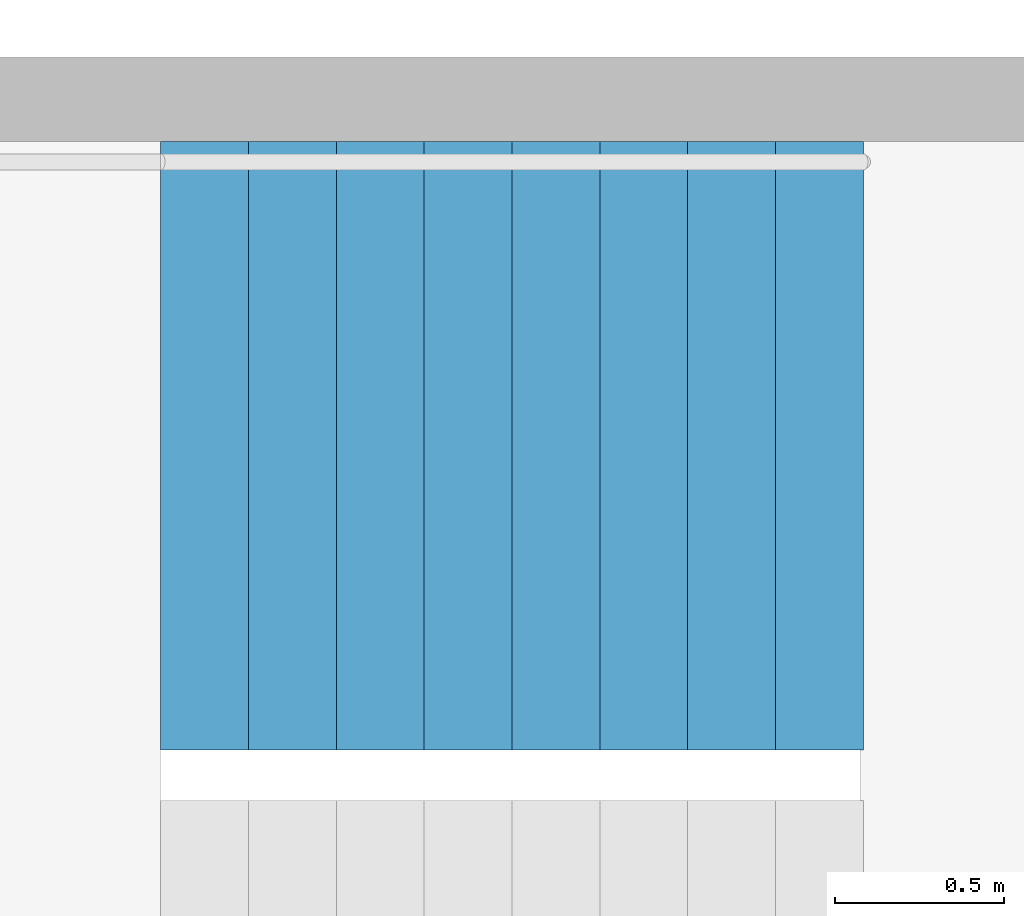
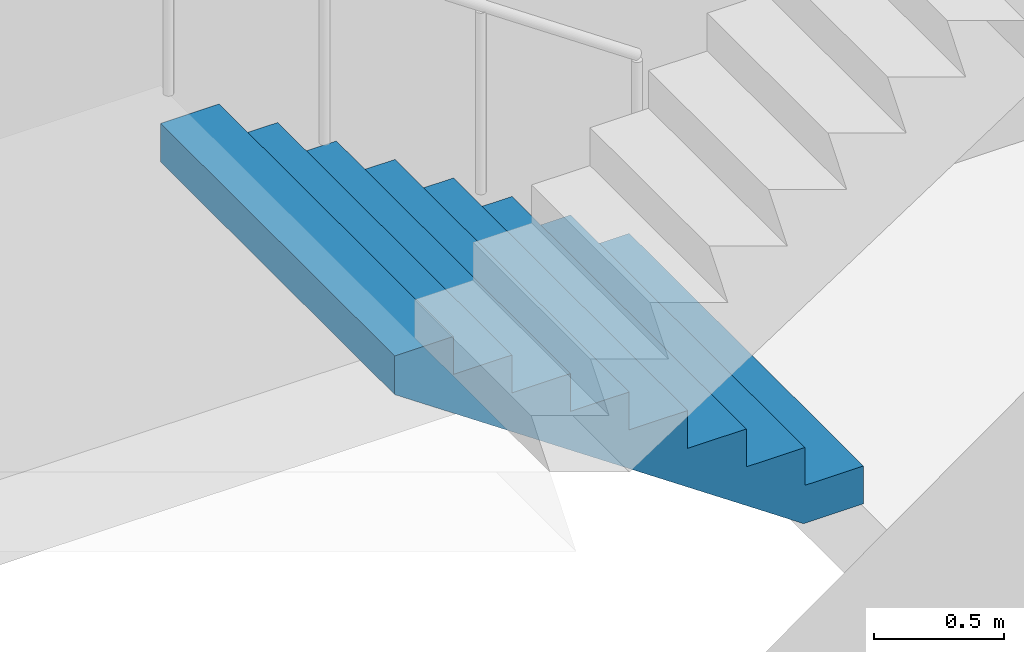
# One storey, part 21 of 34: 1 stair flight, 1 element without a shape of its own.
"""IFC4 building model written with IfcOpenShell, lengths in metres."""

from ifc_helpers import new_model, si_unit, direction, frame, origin, place, context, subcontext, project, spatial, triangles, material, type_object, element, aggregate, save


model = new_model("IFC4")

# Units and contexts
model_context = context("Model", 3, precision=1e-05, world=origin(), true_north=direction((0.0, 1.0)))
body_context = subcontext(model_context, "Body", "Model", "MODEL_VIEW")
ifc_project = project(units=[si_unit("LENGTHUNIT", "METRE"), si_unit("AREAUNIT", "SQUARE_METRE"), si_unit("VOLUMEUNIT", "CUBIC_METRE"), si_unit("PLANEANGLEUNIT", "RADIAN"), si_unit("MASSUNIT", "GRAM", prefix="KILO")], contexts=[model_context])

# Site, building, storey
site_placement = place(None, origin())
site = spatial("IfcSite", under=ifc_project, at=site_placement, CompositionType="ELEMENT")
building_placement = place(site_placement, origin())
building = spatial("IfcBuilding", under=site, at=building_placement, Name="Hakoniwa Tower and Hamabe Station Hall", CompositionType="ELEMENT")
storey_placement = place(building_placement, frame((0.0, 0.0, 107.39990234375)))
storey = spatial("IfcBuildingStorey", under=building, at=storey_placement, Name="L30", CompositionType="ELEMENT", Elevation=107.39990234375)

# Stair, stair flight
ifc_material_1 = material(Name="Concrete C40", Category="concrete")
stair_type = type_object("IfcStairType", Name="ESCAPE STAIR 1800", PredefinedType="HALF_TURN_STAIR", material=ifc_material_1)
stair_placement = place(storey_placement, origin())
stair = element("IfcStair", 1, at=stair_placement, inside=storey, type_object=stair_type, Name="Escape stair ST-2 L30", PredefinedType="HALF_TURN_STAIR")
ifc_material_2 = material(Name="Concrete C40", Category="concrete")
stair_flight_type = type_object("IfcStairFlightType", Name="STAIR FLIGHT 1800", PredefinedType="STRAIGHT", material=ifc_material_2)
stair_flight_placement = place(storey_placement, frame((-23.39990234375, -4.64990234375, 0.0), z_axis=(0.0, 0.0, 1.0), x_axis=(-1.0, 0.0, 0.0)))
stair_flight = element("IfcStairFlight", 2, at=stair_flight_placement, type_object=stair_flight_type, Name="ST-2 flight 1", NumberOfRisers=9, NumberOfTreads=8, PredefinedType="STRAIGHT", RiserHeight=0.177777778, TreadLength=0.26, context=body_context, shape_type="Tessellation", body=[
    triangles([(0.0, 0.89990234375, 0.0), (0.260009765625, 0.89990234375, 0.0), (0.265625, 0.89990234375, 0.0), (0.52001953125, 0.89990234375, 0.174072265625), (0.780029296875, 0.89990234375, 0.351806640625), (1.0400390625, 0.89990234375, 0.529541015625), (1.300048828125, 0.89990234375, 0.707275390625), (1.56005859375, 0.89990234375, 0.885009765625), (1.820068359375, 0.89990234375, 1.062744140625), (2.080078125, 0.89990234375, 1.24072265625), (2.080078125, 0.89990234375, 1.422119140625), (1.820068359375, 0.89990234375, 1.422119140625), (1.820068359375, 0.89990234375, 1.244384765625), (1.56005859375, 0.89990234375, 1.244384765625), (1.56005859375, 0.89990234375, 1.066650390625), (1.300048828125, 0.89990234375, 1.066650390625), (1.300048828125, 0.89990234375, 0.888916015625), (1.0400390625, 0.89990234375, 0.888916015625), (1.0400390625, 0.89990234375, 0.711181640625), (0.780029296875, 0.89990234375, 0.711181640625), (0.780029296875, 0.89990234375, 0.533447265625), (0.52001953125, 0.89990234375, 0.533447265625), (0.52001953125, 0.89990234375, 0.35546875), (0.265625, 0.89990234375, 0.35546875), (0.260009765625, 0.89990234375, 0.35546875), (0.260009765625, 0.89990234375, 0.177734375), (0.0, 0.89990234375, 0.177734375), (0.0, 0.06005859375, 0.0), (0.260009765625, 0.06005859375, 0.0), (0.265625, 0.06005859375, 0.0), (0.52001953125, 0.06005859375, 0.174072265625), (0.780029296875, 0.06005859375, 0.351806640625), (1.0400390625, 0.06005859375, 0.529541015625), (1.300048828125, 0.06005859375, 0.707275390625), (1.56005859375, 0.06005859375, 0.885009765625), (1.820068359375, 0.06005859375, 1.062744140625), (2.080078125, 0.06005859375, 1.24072265625), (2.080078125, 0.06005859375, 1.422119140625), (1.820068359375, 0.06005859375, 1.422119140625), (1.820068359375, 0.06005859375, 1.244384765625), (1.56005859375, 0.06005859375, 1.244384765625), (1.56005859375, 0.06005859375, 1.066650390625), (1.300048828125, 0.06005859375, 1.066650390625), (1.300048828125, 0.06005859375, 0.888916015625), (1.0400390625, 0.06005859375, 0.888916015625), (1.0400390625, 0.06005859375, 0.711181640625), (0.780029296875, 0.06005859375, 0.711181640625), (0.780029296875, 0.06005859375, 0.533447265625), (0.52001953125, 0.06005859375, 0.533447265625), (0.52001953125, 0.06005859375, 0.35546875), (0.265625, 0.06005859375, 0.35546875), (0.260009765625, 0.06005859375, 0.35546875), (0.260009765625, 0.06005859375, 0.177734375), (0.0, 0.06005859375, 0.177734375), (0.0, 0.04296875, 0.0), (0.260009765625, 0.04296875, 0.0), (0.265625, 0.04296875, 0.0), (0.52001953125, 0.04296875, 0.174072265625), (0.780029296875, 0.04296875, 0.351806640625), (1.0400390625, 0.04296875, 0.529541015625), (1.300048828125, 0.04296875, 0.707275390625), (1.56005859375, 0.04296875, 0.885009765625), (1.820068359375, 0.04296875, 1.062744140625), (2.080078125, 0.04296875, 1.24072265625), (2.080078125, 0.04296875, 1.422119140625), (1.820068359375, 0.04296875, 1.422119140625), (1.820068359375, 0.04296875, 1.244384765625), (1.56005859375, 0.04296875, 1.244384765625), (1.56005859375, 0.04296875, 1.066650390625), (1.300048828125, 0.04296875, 1.066650390625), (1.300048828125, 0.04296875, 0.888916015625), (1.0400390625, 0.04296875, 0.888916015625), (1.0400390625, 0.04296875, 0.711181640625), (0.780029296875, 0.04296875, 0.711181640625), (0.780029296875, 0.04296875, 0.533447265625), (0.52001953125, 0.04296875, 0.533447265625), (0.52001953125, 0.04296875, 0.35546875), (0.265625, 0.04296875, 0.35546875), (0.260009765625, 0.04296875, 0.35546875), (0.260009765625, 0.04296875, 0.177734375), (0.0, 0.04296875, 0.177734375), (0.0, 0.025634765625, 0.0), (0.260009765625, 0.025634765625, 0.0), (0.265625, 0.025634765625, 0.0), (0.52001953125, 0.025634765625, 0.174072265625), (0.780029296875, 0.025634765625, 0.351806640625), (1.0400390625, 0.025634765625, 0.529541015625), (1.300048828125, 0.025634765625, 0.707275390625), (1.56005859375, 0.025634765625, 0.885009765625), (1.820068359375, 0.025634765625, 1.062744140625), (2.080078125, 0.025634765625, 1.24072265625), (2.080078125, 0.025634765625, 1.422119140625), (1.820068359375, 0.025634765625, 1.422119140625), (1.820068359375, 0.025634765625, 1.244384765625), (1.56005859375, 0.025634765625, 1.244384765625), (1.56005859375, 0.025634765625, 1.066650390625), (1.300048828125, 0.025634765625, 1.066650390625), (1.300048828125, 0.025634765625, 0.888916015625), (1.0400390625, 0.025634765625, 0.888916015625), (1.0400390625, 0.025634765625, 0.711181640625), (0.780029296875, 0.025634765625, 0.711181640625), (0.780029296875, 0.025634765625, 0.533447265625), (0.52001953125, 0.025634765625, 0.533447265625), (0.52001953125, 0.025634765625, 0.35546875), (0.265625, 0.025634765625, 0.35546875), (0.260009765625, 0.025634765625, 0.35546875), (0.260009765625, 0.025634765625, 0.177734375), (0.0, 0.025634765625, 0.177734375), (0.0, 0.008544921875, 0.0), (0.260009765625, 0.008544921875, 0.0), (0.265625, 0.008544921875, 0.0), (0.52001953125, 0.008544921875, 0.174072265625), (0.780029296875, 0.008544921875, 0.351806640625), (1.0400390625, 0.008544921875, 0.529541015625), (1.300048828125, 0.008544921875, 0.707275390625), (1.56005859375, 0.008544921875, 0.885009765625), (1.820068359375, 0.008544921875, 1.062744140625), (2.080078125, 0.008544921875, 1.24072265625), (2.080078125, 0.008544921875, 1.422119140625), (1.820068359375, 0.008544921875, 1.422119140625), (1.820068359375, 0.008544921875, 1.244384765625), (1.56005859375, 0.008544921875, 1.244384765625), (1.56005859375, 0.008544921875, 1.066650390625), (1.300048828125, 0.008544921875, 1.066650390625), (1.300048828125, 0.008544921875, 0.888916015625), (1.0400390625, 0.008544921875, 0.888916015625), (1.0400390625, 0.008544921875, 0.711181640625), (0.780029296875, 0.008544921875, 0.711181640625), (0.780029296875, 0.008544921875, 0.533447265625), (0.52001953125, 0.008544921875, 0.533447265625), (0.52001953125, 0.008544921875, 0.35546875), (0.265625, 0.008544921875, 0.35546875), (0.260009765625, 0.008544921875, 0.35546875), (0.260009765625, 0.008544921875, 0.177734375), (0.0, 0.008544921875, 0.177734375), (0.0, -0.008544921875, 0.0), (0.260009765625, -0.008544921875, 0.0), (0.265625, -0.008544921875, 0.0), (0.52001953125, -0.008544921875, 0.174072265625), (0.780029296875, -0.008544921875, 0.351806640625), (1.0400390625, -0.008544921875, 0.529541015625), (1.300048828125, -0.008544921875, 0.707275390625), (1.56005859375, -0.008544921875, 0.885009765625), (1.820068359375, -0.008544921875, 1.062744140625), (2.080078125, -0.008544921875, 1.24072265625), (2.080078125, -0.008544921875, 1.422119140625), (1.820068359375, -0.008544921875, 1.422119140625), (1.820068359375, -0.008544921875, 1.244384765625), (1.56005859375, -0.008544921875, 1.244384765625), (1.56005859375, -0.008544921875, 1.066650390625), (1.300048828125, -0.008544921875, 1.066650390625), (1.300048828125, -0.008544921875, 0.888916015625), (1.0400390625, -0.008544921875, 0.888916015625), (1.0400390625, -0.008544921875, 0.711181640625), (0.780029296875, -0.008544921875, 0.711181640625), (0.780029296875, -0.008544921875, 0.533447265625), (0.52001953125, -0.008544921875, 0.533447265625), (0.52001953125, -0.008544921875, 0.35546875), (0.265625, -0.008544921875, 0.35546875), (0.260009765625, -0.008544921875, 0.35546875), (0.260009765625, -0.008544921875, 0.177734375), (0.0, -0.008544921875, 0.177734375), (0.0, -0.025634765625, 0.0), (0.260009765625, -0.025634765625, 0.0), (0.265625, -0.025634765625, 0.0), (0.52001953125, -0.025634765625, 0.174072265625), (0.780029296875, -0.025634765625, 0.351806640625), (1.0400390625, -0.025634765625, 0.529541015625), (1.300048828125, -0.025634765625, 0.707275390625), (1.56005859375, -0.025634765625, 0.885009765625), (1.820068359375, -0.025634765625, 1.062744140625), (2.080078125, -0.025634765625, 1.24072265625), (2.080078125, -0.025634765625, 1.422119140625), (1.820068359375, -0.025634765625, 1.422119140625), (1.820068359375, -0.025634765625, 1.244384765625), (1.56005859375, -0.025634765625, 1.244384765625), (1.56005859375, -0.025634765625, 1.066650390625), (1.300048828125, -0.025634765625, 1.066650390625), (1.300048828125, -0.025634765625, 0.888916015625), (1.0400390625, -0.025634765625, 0.888916015625), (1.0400390625, -0.025634765625, 0.711181640625), (0.780029296875, -0.025634765625, 0.711181640625), (0.780029296875, -0.025634765625, 0.533447265625), (0.52001953125, -0.025634765625, 0.533447265625), (0.52001953125, -0.025634765625, 0.35546875), (0.265625, -0.025634765625, 0.35546875), (0.260009765625, -0.025634765625, 0.35546875), (0.260009765625, -0.025634765625, 0.177734375), (0.0, -0.025634765625, 0.177734375), (0.0, -0.04296875, 0.0), (0.260009765625, -0.04296875, 0.0), (0.265625, -0.04296875, 0.0), (0.52001953125, -0.04296875, 0.174072265625), (0.780029296875, -0.04296875, 0.351806640625), (1.0400390625, -0.04296875, 0.529541015625), (1.300048828125, -0.04296875, 0.707275390625), (1.56005859375, -0.04296875, 0.885009765625), (1.820068359375, -0.04296875, 1.062744140625), (2.080078125, -0.04296875, 1.24072265625), (2.080078125, -0.04296875, 1.422119140625), (1.820068359375, -0.04296875, 1.422119140625), (1.820068359375, -0.04296875, 1.244384765625), (1.56005859375, -0.04296875, 1.244384765625), (1.56005859375, -0.04296875, 1.066650390625), (1.300048828125, -0.04296875, 1.066650390625), (1.300048828125, -0.04296875, 0.888916015625), (1.0400390625, -0.04296875, 0.888916015625), (1.0400390625, -0.04296875, 0.711181640625), (0.780029296875, -0.04296875, 0.711181640625), (0.780029296875, -0.04296875, 0.533447265625), (0.52001953125, -0.04296875, 0.533447265625), (0.52001953125, -0.04296875, 0.35546875), (0.265625, -0.04296875, 0.35546875), (0.260009765625, -0.04296875, 0.35546875), (0.260009765625, -0.04296875, 0.177734375), (0.0, -0.04296875, 0.177734375), (0.0, -0.06005859375, 0.0), (0.260009765625, -0.06005859375, 0.0), (0.265625, -0.06005859375, 0.0), (0.52001953125, -0.06005859375, 0.174072265625), (0.780029296875, -0.06005859375, 0.351806640625), (1.0400390625, -0.06005859375, 0.529541015625), (1.300048828125, -0.06005859375, 0.707275390625), (1.56005859375, -0.06005859375, 0.885009765625), (1.820068359375, -0.06005859375, 1.062744140625), (2.080078125, -0.06005859375, 1.24072265625), (2.080078125, -0.06005859375, 1.422119140625), (1.820068359375, -0.06005859375, 1.422119140625), (1.820068359375, -0.06005859375, 1.244384765625), (1.56005859375, -0.06005859375, 1.244384765625), (1.56005859375, -0.06005859375, 1.066650390625), (1.300048828125, -0.06005859375, 1.066650390625), (1.300048828125, -0.06005859375, 0.888916015625), (1.0400390625, -0.06005859375, 0.888916015625), (1.0400390625, -0.06005859375, 0.711181640625), (0.780029296875, -0.06005859375, 0.711181640625), (0.780029296875, -0.06005859375, 0.533447265625), (0.52001953125, -0.06005859375, 0.533447265625), (0.52001953125, -0.06005859375, 0.35546875), (0.265625, -0.06005859375, 0.35546875), (0.260009765625, -0.06005859375, 0.35546875), (0.260009765625, -0.06005859375, 0.177734375), (0.0, -0.06005859375, 0.177734375), (0.0, -0.89990234375, 0.0), (0.260009765625, -0.89990234375, 0.0), (0.265625, -0.89990234375, 0.0), (0.52001953125, -0.89990234375, 0.174072265625), (0.780029296875, -0.89990234375, 0.351806640625), (1.0400390625, -0.89990234375, 0.529541015625), (1.300048828125, -0.89990234375, 0.707275390625), (1.56005859375, -0.89990234375, 0.885009765625), (1.820068359375, -0.89990234375, 1.062744140625), (2.080078125, -0.89990234375, 1.24072265625), (2.080078125, -0.89990234375, 1.422119140625), (1.820068359375, -0.89990234375, 1.422119140625), (1.820068359375, -0.89990234375, 1.244384765625), (1.56005859375, -0.89990234375, 1.244384765625), (1.56005859375, -0.89990234375, 1.066650390625), (1.300048828125, -0.89990234375, 1.066650390625), (1.300048828125, -0.89990234375, 0.888916015625), (1.0400390625, -0.89990234375, 0.888916015625), (1.0400390625, -0.89990234375, 0.711181640625), (0.780029296875, -0.89990234375, 0.711181640625), (0.780029296875, -0.89990234375, 0.533447265625), (0.52001953125, -0.89990234375, 0.533447265625), (0.52001953125, -0.89990234375, 0.35546875), (0.265625, -0.89990234375, 0.35546875), (0.260009765625, -0.89990234375, 0.35546875), (0.260009765625, -0.89990234375, 0.177734375), (0.0, -0.89990234375, 0.177734375)], [[2, 27, 26], [245, 269, 270], [2, 1, 27], [245, 270, 244], [3, 25, 24], [246, 267, 268], [3, 26, 25], [246, 268, 269], [3, 2, 26], [246, 269, 245], [4, 24, 23], [247, 266, 267], [4, 3, 24], [247, 267, 246], [5, 22, 21], [248, 264, 265], [5, 23, 22], [248, 265, 266], [5, 4, 23], [248, 266, 247], [6, 20, 19], [249, 262, 263], [6, 21, 20], [249, 263, 264], [6, 5, 21], [249, 264, 248], [7, 18, 17], [250, 260, 261], [7, 19, 18], [250, 261, 262], [7, 6, 19], [250, 262, 249], [8, 16, 15], [251, 258, 259], [8, 17, 16], [251, 259, 260], [8, 7, 17], [251, 260, 250], [9, 14, 13], [252, 256, 257], [9, 15, 14], [252, 257, 258], [9, 8, 15], [252, 258, 251], [10, 12, 11], [253, 254, 255], [10, 13, 12], [253, 255, 256], [10, 9, 13], [253, 256, 252], [1, 2, 29], [1, 29, 28], [28, 29, 56], [28, 56, 55], [55, 56, 83], [55, 83, 82], [82, 83, 110], [82, 110, 109], [109, 110, 137], [109, 137, 136], [136, 137, 164], [136, 164, 163], [163, 164, 191], [163, 191, 190], [190, 191, 218], [190, 218, 217], [217, 218, 245], [217, 245, 244], [2, 3, 30], [2, 30, 29], [29, 30, 57], [29, 57, 56], [56, 57, 84], [56, 84, 83], [83, 84, 111], [83, 111, 110], [110, 111, 138], [110, 138, 137], [137, 138, 165], [137, 165, 164], [164, 165, 192], [164, 192, 191], [191, 192, 219], [191, 219, 218], [218, 219, 246], [218, 246, 245], [3, 4, 31], [3, 31, 30], [30, 31, 58], [30, 58, 57], [57, 58, 85], [57, 85, 84], [84, 85, 112], [84, 112, 111], [111, 112, 139], [111, 139, 138], [138, 139, 166], [138, 166, 165], [165, 166, 193], [165, 193, 192], [192, 193, 220], [192, 220, 219], [219, 220, 247], [219, 247, 246], [4, 5, 32], [4, 32, 31], [31, 32, 59], [31, 59, 58], [58, 59, 86], [58, 86, 85], [85, 86, 113], [85, 113, 112], [112, 113, 140], [112, 140, 139], [139, 140, 167], [139, 167, 166], [166, 167, 194], [166, 194, 193], [193, 194, 221], [193, 221, 220], [220, 221, 248], [220, 248, 247], [5, 6, 33], [5, 33, 32], [32, 33, 60], [32, 60, 59], [59, 60, 87], [59, 87, 86], [86, 87, 114], [86, 114, 113], [113, 114, 141], [113, 141, 140], [140, 141, 168], [140, 168, 167], [167, 168, 195], [167, 195, 194], [194, 195, 222], [194, 222, 221], [221, 222, 249], [221, 249, 248], [6, 7, 34], [6, 34, 33], [33, 34, 61], [33, 61, 60], [60, 61, 88], [60, 88, 87], [87, 88, 115], [87, 115, 114], [114, 115, 142], [114, 142, 141], [141, 142, 169], [141, 169, 168], [168, 169, 196], [168, 196, 195], [195, 196, 223], [195, 223, 222], [222, 223, 250], [222, 250, 249], [7, 8, 35], [7, 35, 34], [34, 35, 62], [34, 62, 61], [61, 62, 89], [61, 89, 88], [88, 89, 116], [88, 116, 115], [115, 116, 143], [115, 143, 142], [142, 143, 170], [142, 170, 169], [169, 170, 197], [169, 197, 196], [196, 197, 224], [196, 224, 223], [223, 224, 251], [223, 251, 250], [8, 9, 36], [8, 36, 35], [35, 36, 63], [35, 63, 62], [62, 63, 90], [62, 90, 89], [89, 90, 117], [89, 117, 116], [116, 117, 144], [116, 144, 143], [143, 144, 171], [143, 171, 170], [170, 171, 198], [170, 198, 197], [197, 198, 225], [197, 225, 224], [224, 225, 252], [224, 252, 251], [9, 10, 37], [9, 37, 36], [36, 37, 64], [36, 64, 63], [63, 64, 91], [63, 91, 90], [90, 91, 118], [90, 118, 117], [117, 118, 145], [117, 145, 144], [144, 145, 172], [144, 172, 171], [171, 172, 199], [171, 199, 198], [198, 199, 226], [198, 226, 225], [225, 226, 253], [225, 253, 252], [10, 11, 38], [10, 38, 37], [37, 38, 65], [37, 65, 64], [64, 65, 92], [64, 92, 91], [91, 92, 119], [91, 119, 118], [118, 119, 146], [118, 146, 145], [145, 146, 173], [145, 173, 172], [172, 173, 200], [172, 200, 199], [199, 200, 227], [199, 227, 226], [226, 227, 254], [226, 254, 253], [11, 12, 39], [11, 39, 38], [38, 39, 66], [38, 66, 65], [65, 66, 93], [65, 93, 92], [92, 93, 120], [92, 120, 119], [119, 120, 147], [119, 147, 146], [146, 147, 174], [146, 174, 173], [173, 174, 201], [173, 201, 200], [200, 201, 228], [200, 228, 227], [227, 228, 255], [227, 255, 254], [12, 13, 40], [12, 40, 39], [39, 40, 67], [39, 67, 66], [66, 67, 94], [66, 94, 93], [93, 94, 121], [93, 121, 120], [120, 121, 148], [120, 148, 147], [147, 148, 175], [147, 175, 174], [174, 175, 202], [174, 202, 201], [201, 202, 229], [201, 229, 228], [228, 229, 256], [228, 256, 255], [13, 14, 41], [13, 41, 40], [40, 41, 68], [40, 68, 67], [67, 68, 95], [67, 95, 94], [94, 95, 122], [94, 122, 121], [121, 122, 149], [121, 149, 148], [148, 149, 176], [148, 176, 175], [175, 176, 203], [175, 203, 202], [202, 203, 230], [202, 230, 229], [229, 230, 257], [229, 257, 256], [14, 15, 42], [14, 42, 41], [41, 42, 69], [41, 69, 68], [68, 69, 96], [68, 96, 95], [95, 96, 123], [95, 123, 122], [122, 123, 150], [122, 150, 149], [149, 150, 177], [149, 177, 176], [176, 177, 204], [176, 204, 203], [203, 204, 231], [203, 231, 230], [230, 231, 258], [230, 258, 257], [15, 16, 43], [15, 43, 42], [42, 43, 70], [42, 70, 69], [69, 70, 97], [69, 97, 96], [96, 97, 124], [96, 124, 123], [123, 124, 151], [123, 151, 150], [150, 151, 178], [150, 178, 177], [177, 178, 205], [177, 205, 204], [204, 205, 232], [204, 232, 231], [231, 232, 259], [231, 259, 258], [16, 17, 44], [16, 44, 43], [43, 44, 71], [43, 71, 70], [70, 71, 98], [70, 98, 97], [97, 98, 125], [97, 125, 124], [124, 125, 152], [124, 152, 151], [151, 152, 179], [151, 179, 178], [178, 179, 206], [178, 206, 205], [205, 206, 233], [205, 233, 232], [232, 233, 260], [232, 260, 259], [17, 18, 45], [17, 45, 44], [44, 45, 72], [44, 72, 71], [71, 72, 99], [71, 99, 98], [98, 99, 126], [98, 126, 125], [125, 126, 153], [125, 153, 152], [152, 153, 180], [152, 180, 179], [179, 180, 207], [179, 207, 206], [206, 207, 234], [206, 234, 233], [233, 234, 261], [233, 261, 260], [18, 19, 46], [18, 46, 45], [45, 46, 73], [45, 73, 72], [72, 73, 100], [72, 100, 99], [99, 100, 127], [99, 127, 126], [126, 127, 154], [126, 154, 153], [153, 154, 181], [153, 181, 180], [180, 181, 208], [180, 208, 207], [207, 208, 235], [207, 235, 234], [234, 235, 262], [234, 262, 261], [19, 20, 47], [19, 47, 46], [46, 47, 74], [46, 74, 73], [73, 74, 101], [73, 101, 100], [100, 101, 128], [100, 128, 127], [127, 128, 155], [127, 155, 154], [154, 155, 182], [154, 182, 181], [181, 182, 209], [181, 209, 208], [208, 209, 236], [208, 236, 235], [235, 236, 263], [235, 263, 262], [20, 21, 48], [20, 48, 47], [47, 48, 75], [47, 75, 74], [74, 75, 102], [74, 102, 101], [101, 102, 129], [101, 129, 128], [128, 129, 156], [128, 156, 155], [155, 156, 183], [155, 183, 182], [182, 183, 210], [182, 210, 209], [209, 210, 237], [209, 237, 236], [236, 237, 264], [236, 264, 263], [21, 22, 49], [21, 49, 48], [48, 49, 76], [48, 76, 75], [75, 76, 103], [75, 103, 102], [102, 103, 130], [102, 130, 129], [129, 130, 157], [129, 157, 156], [156, 157, 184], [156, 184, 183], [183, 184, 211], [183, 211, 210], [210, 211, 238], [210, 238, 237], [237, 238, 265], [237, 265, 264], [22, 23, 50], [22, 50, 49], [49, 50, 77], [49, 77, 76], [76, 77, 104], [76, 104, 103], [103, 104, 131], [103, 131, 130], [130, 131, 158], [130, 158, 157], [157, 158, 185], [157, 185, 184], [184, 185, 212], [184, 212, 211], [211, 212, 239], [211, 239, 238], [238, 239, 266], [238, 266, 265], [23, 24, 51], [23, 51, 50], [50, 51, 78], [50, 78, 77], [77, 78, 105], [77, 105, 104], [104, 105, 132], [104, 132, 131], [131, 132, 159], [131, 159, 158], [158, 159, 186], [158, 186, 185], [185, 186, 213], [185, 213, 212], [212, 213, 240], [212, 240, 239], [239, 240, 267], [239, 267, 266], [24, 25, 52], [24, 52, 51], [51, 52, 79], [51, 79, 78], [78, 79, 106], [78, 106, 105], [105, 106, 133], [105, 133, 132], [132, 133, 160], [132, 160, 159], [159, 160, 187], [159, 187, 186], [186, 187, 214], [186, 214, 213], [213, 214, 241], [213, 241, 240], [240, 241, 268], [240, 268, 267], [25, 26, 53], [25, 53, 52], [52, 53, 80], [52, 80, 79], [79, 80, 107], [79, 107, 106], [106, 107, 134], [106, 134, 133], [133, 134, 161], [133, 161, 160], [160, 161, 188], [160, 188, 187], [187, 188, 215], [187, 215, 214], [214, 215, 242], [214, 242, 241], [241, 242, 269], [241, 269, 268], [26, 27, 54], [26, 54, 53], [53, 54, 81], [53, 81, 80], [80, 81, 108], [80, 108, 107], [107, 108, 135], [107, 135, 134], [134, 135, 162], [134, 162, 161], [161, 162, 189], [161, 189, 188], [188, 189, 216], [188, 216, 215], [215, 216, 243], [215, 243, 242], [242, 243, 270], [242, 270, 269], [27, 1, 28], [27, 28, 54], [54, 28, 55], [54, 55, 81], [81, 55, 82], [81, 82, 108], [108, 82, 109], [108, 109, 135], [135, 109, 136], [135, 136, 162], [162, 136, 163], [162, 163, 189], [189, 163, 190], [189, 190, 216], [216, 190, 217], [216, 217, 243], [243, 217, 244], [243, 244, 270]], closed=True),
])
aggregate(stair, [stair_flight])

save(model, "model.ifc")
